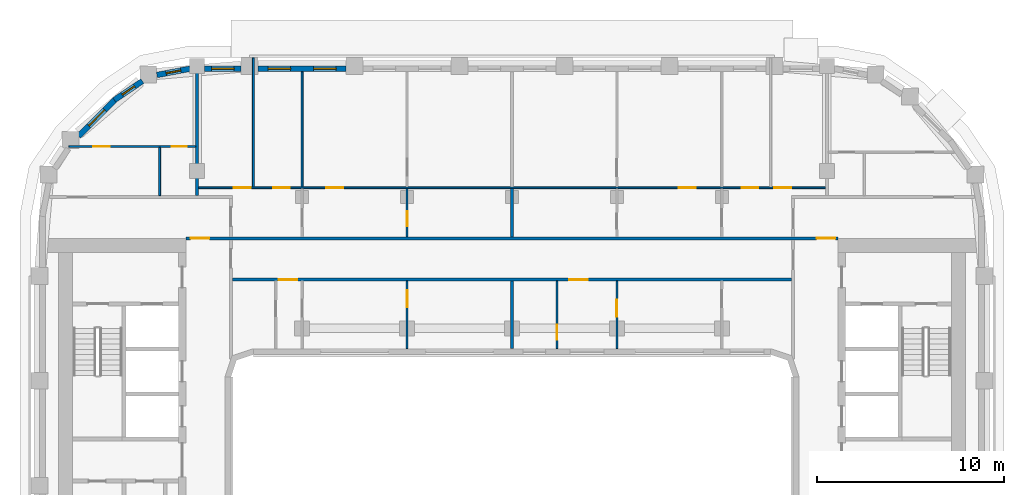
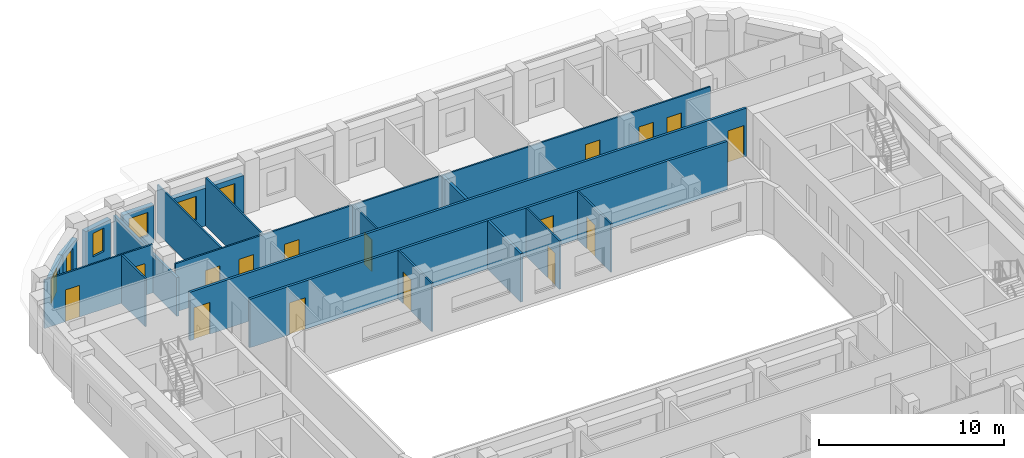
# One storey, part 7 of 21: 19 walls, 16 doors, 6 windows, 22 openings.
"""IFC4 building model written with IfcOpenShell, lengths in metres."""

from ifc_helpers import new_model, si_unit, direction, frame, frame_2d, origin, place, context, subcontext, project, spatial, rectangle, extrude, material, layer, layer_set, type_object, element, fill, save


model = new_model("IFC4")

# Units and contexts
model_context = context("Model", 3, precision=1e-05, world=origin(), true_north=direction((0.0, 1.0)))
body_context = subcontext(model_context, "Body", "Model", "MODEL_VIEW")
ifc_project = project(units=[si_unit("LENGTHUNIT", "METRE"), si_unit("AREAUNIT", "SQUARE_METRE"), si_unit("VOLUMEUNIT", "CUBIC_METRE"), si_unit("PLANEANGLEUNIT", "RADIAN"), si_unit("MASSUNIT", "GRAM", prefix="KILO")], contexts=[model_context])

# Site, building, storey
site_placement = place(None, origin())
site = spatial("IfcSite", under=ifc_project, at=site_placement, CompositionType="ELEMENT")
building_placement = place(site_placement, origin())
building = spatial("IfcBuilding", under=site, at=building_placement, Name="Kiln Ring Residences", CompositionType="ELEMENT")
storey_placement = place(building_placement, frame((0.0, 0.0, 202.89990234375)))
storey = spatial("IfcBuildingStorey", under=building, at=storey_placement, Name="L52", CompositionType="ELEMENT", Elevation=202.89990234375)

# Wall, openings, windows
ifc_material_1 = material(Name="Brick masonry, dark clay brick", Category="masonry")
ifc_layer_1 = layer(ifc_material_1, 0.300048828125)
ifc_layer_set_1 = layer_set([ifc_layer_1], Name="EW-300 BRICK WALL")
wall_type_1 = type_object("IfcWallType", Name="EW-300 BRICK WALL", PredefinedType="SOLIDWALL", material=ifc_layer_set_1)
wall_1_placement = place(storey_placement, frame((-8.85009765625, 22.25, 0.0), z_axis=(0.0, 0.0, 1.0), x_axis=(-1.0, 0.0, 0.0)))
wall_1 = element("IfcWall", 1, at=wall_1_placement, inside=storey, type_object=wall_type_1, Name="Facade wall L52 32", PredefinedType="SOLIDWALL", context=body_context, shape_type="SweptSolid", body=[
    extrude(rectangle(XDim=4.699951171875, YDim=0.300048828125, at=frame_2d((2.35009765625, 0.0))), origin(), (0.0, 0.0, 1.0), 2.5),
])
opening_1_placement = place(wall_1_placement, frame((0.53759765625, 0.0, 0.60009765625)))
opening_1 = element("IfcOpeningElement", 2, at=opening_1_placement, cuts=wall_1, Name="Opening W1", PredefinedType="OPENING", context=body_context, shape_type="SweptSolid", body=[
    extrude(rectangle(XDim=1.199951171875, YDim=1.550048828125, at=frame_2d((0.60009765625, 0.77490234375))), frame((0.0, 0.159912109375, 0.0), z_axis=(0.0, -1.0, 0.0), x_axis=(1.0, 0.0, 0.0)), (0.0, 0.0, 1.0), 0.320068359375),
])
opening_2_placement = place(wall_1_placement, frame((2.96240234375, 0.0, 0.60009765625)))
opening_2 = element("IfcOpeningElement", 3, at=opening_2_placement, cuts=wall_1, Name="Opening W1", PredefinedType="OPENING", context=body_context, shape_type="SweptSolid", body=[
    extrude(rectangle(XDim=1.199951171875, YDim=1.550048828125, at=frame_2d((0.60009765625, 0.77490234375))), frame((0.0, 0.159912109375, 0.0), z_axis=(0.0, -1.0, 0.0), x_axis=(1.0, 0.0, 0.0)), (0.0, 0.0, 1.0), 0.320068359375),
])
ifc_material_2 = material(Name="Aluminium frame with double glazing", Category="aluminium")
window_type_1 = type_object("IfcWindowType", Name="WINDOW 1200 x 1550", PartitioningType="SINGLE_PANEL", PredefinedType="WINDOW", material=ifc_material_2)
window_1_placement = place(opening_1_placement, origin())
window_1 = element("IfcWindow", 4, at=window_1_placement, inside=storey, type_object=window_type_1, Name="Window L52 28", OverallHeight=1.550048828125, OverallWidth=1.199951171875, PartitioningType="SINGLE_PANEL", PredefinedType="WINDOW", context=body_context, shape_type="SweptSolid", body=[
    extrude(rectangle(XDim=1.199951171875, YDim=1.550048828125, at=frame_2d((0.60009765625, 0.77490234375))), frame((0.0, 0.030029296875, 0.0), z_axis=(0.0, -1.0, 0.0), x_axis=(1.0, 0.0, 0.0)), (0.0, 0.0, 1.0), 0.06005859375),
])
fill(opening_1, window_1)
window_2_placement = place(opening_2_placement, origin())
window_2 = element("IfcWindow", 5, at=window_2_placement, inside=storey, type_object=window_type_1, Name="Window L52 29", OverallHeight=1.550048828125, OverallWidth=1.199951171875, PartitioningType="SINGLE_PANEL", PredefinedType="WINDOW", context=body_context, shape_type="SweptSolid", body=[
    extrude(rectangle(XDim=1.199951171875, YDim=1.550048828125, at=frame_2d((0.60009765625, 0.77490234375))), frame((0.0, 0.030029296875, 0.0), z_axis=(0.0, -1.0, 0.0), x_axis=(1.0, 0.0, 0.0)), (0.0, 0.0, 1.0), 0.06005859375),
])
fill(opening_2, window_2)

# Wall, opening, window
wall_2_placement = place(storey_placement, frame((-14.449951171875, 22.25, 0.0), z_axis=(0.0, 0.0, 1.0), x_axis=(-1.0, 0.0, 0.0)))
wall_2 = element("IfcWall", 6, at=wall_2_placement, inside=storey, type_object=wall_type_1, Name="Facade wall L52 33", PredefinedType="SOLIDWALL", context=body_context, shape_type="SweptSolid", body=[
    extrude(rectangle(XDim=1.949951171875, YDim=0.300048828125, at=frame_2d((0.97509765625, 0.0))), origin(), (0.0, 0.0, 1.0), 2.5),
])
opening_3_placement = place(wall_2_placement, frame((0.375, 0.0, 0.60009765625)))
opening_3 = element("IfcOpeningElement", 7, at=opening_3_placement, cuts=wall_2, Name="Opening W1", PredefinedType="OPENING", context=body_context, shape_type="SweptSolid", body=[
    extrude(rectangle(XDim=1.199951171875, YDim=1.550048828125, at=frame_2d((0.60009765625, 0.77490234375))), frame((0.0, 0.159912109375, 0.0), z_axis=(0.0, -1.0, 0.0), x_axis=(1.0, 0.0, 0.0)), (0.0, 0.0, 1.0), 0.320068359375),
])
window_3_placement = place(opening_3_placement, origin())
window_3 = element("IfcWindow", 8, at=window_3_placement, inside=storey, type_object=window_type_1, Name="Window L52 30", OverallHeight=1.550048828125, OverallWidth=1.199951171875, PartitioningType="SINGLE_PANEL", PredefinedType="WINDOW", context=body_context, shape_type="SweptSolid", body=[
    extrude(rectangle(XDim=1.199951171875, YDim=1.550048828125, at=frame_2d((0.60009765625, 0.77490234375))), frame((0.0, 0.030029296875, 0.0), z_axis=(0.0, -1.0, 0.0), x_axis=(1.0, 0.0, 0.0)), (0.0, 0.0, 1.0), 0.06005859375),
])
fill(opening_3, window_3)

wall_3_placement = place(storey_placement, frame((-17.178955078125, 22.251220703125, 0.0), z_axis=(0.0, 0.0, 1.0), x_axis=(-0.98230529033, -0.187286722942, 0.0)))
wall_3 = element("IfcWall", 9, at=wall_3_placement, inside=storey, type_object=wall_type_1, Name="Facade wall L52 34", PredefinedType="SOLIDWALL", context=body_context, shape_type="SweptSolid", body=[
    extrude(rectangle(XDim=1.798828125, YDim=0.300048828125, at=frame_2d((0.8994140625, 0.0))), origin(), (0.0, 0.0, 1.0), 2.5),
])
opening_4_placement = place(wall_3_placement, frame((0.49951171875, 0.0, 0.60009765625)))
opening_4 = element("IfcOpeningElement", 10, at=opening_4_placement, cuts=wall_3, Name="Opening W5", PredefinedType="OPENING", context=body_context, shape_type="SweptSolid", body=[
    extrude(rectangle(XDim=0.800048828125, YDim=1.550048828125, at=frame_2d((0.39990234375, 0.77490234375))), frame((0.0, 0.159912109375, 0.0), z_axis=(0.0, -1.0, 0.0), x_axis=(1.0, 0.0, 0.0)), (0.0, 0.0, 1.0), 0.320068359375),
])
ifc_material_3 = material(Name="Aluminium frame with double glazing", Category="aluminium")
window_type_2 = type_object("IfcWindowType", Name="WINDOW 800 x 1550", PartitioningType="SINGLE_PANEL", PredefinedType="WINDOW", material=ifc_material_3)
window_4_placement = place(opening_4_placement, origin())
window_4 = element("IfcWindow", 11, at=window_4_placement, inside=storey, type_object=window_type_2, Name="Window L52 31", OverallHeight=1.550048828125, OverallWidth=0.800048828125, PartitioningType="SINGLE_PANEL", PredefinedType="WINDOW", context=body_context, shape_type="SweptSolid", body=[
    extrude(rectangle(XDim=0.800048828125, YDim=1.550048828125, at=frame_2d((0.39990234375, 0.77490234375))), frame((0.0, 0.030029296875, 0.0), z_axis=(0.0, -1.0, 0.0), x_axis=(1.0, 0.0, 0.0)), (0.0, 0.0, 1.0), 0.06005859375),
])
fill(opening_4, window_4)

wall_4_placement = place(storey_placement, frame((-19.718994140625, 21.593994140625, 0.0), z_axis=(0.0, 0.0, 1.0), x_axis=(-0.827067282455, -0.562102935673, 0.0)))
wall_4 = element("IfcWall", 12, at=wall_4_placement, inside=storey, type_object=wall_type_1, Name="Facade wall L52 35", PredefinedType="SOLIDWALL", context=body_context, shape_type="SweptSolid", body=[
    extrude(rectangle(XDim=1.805908203125, YDim=0.300048828125, at=frame_2d((0.90283203125, 0.0))), origin(), (0.0, 0.0, 1.0), 2.5),
])
opening_5_placement = place(wall_4_placement, frame((0.5029296875, 0.0, 0.60009765625)))
opening_5 = element("IfcOpeningElement", 13, at=opening_5_placement, cuts=wall_4, Name="Opening W5", PredefinedType="OPENING", context=body_context, shape_type="SweptSolid", body=[
    extrude(rectangle(XDim=0.800048828125, YDim=1.550048828125, at=frame_2d((0.39990234375, 0.77490234375))), frame((0.0, 0.159912109375, 0.0), z_axis=(0.0, -1.0, 0.0), x_axis=(1.0, 0.0, 0.0)), (0.0, 0.0, 1.0), 0.320068359375),
])
window_5_placement = place(opening_5_placement, origin())
window_5 = element("IfcWindow", 14, at=window_5_placement, inside=storey, type_object=window_type_2, Name="Window L52 32", OverallHeight=1.550048828125, OverallWidth=0.800048828125, PartitioningType="SINGLE_PANEL", PredefinedType="WINDOW", context=body_context, shape_type="SweptSolid", body=[
    extrude(rectangle(XDim=0.800048828125, YDim=1.550048828125, at=frame_2d((0.39990234375, 0.77490234375))), frame((0.0, 0.030029296875, 0.0), z_axis=(0.0, -1.0, 0.0), x_axis=(1.0, 0.0, 0.0)), (0.0, 0.0, 1.0), 0.06005859375),
])
fill(opening_5, window_5)

wall_5_placement = place(storey_placement, frame((-21.19091796875, 20.596923828125, 0.0), z_axis=(0.0, 0.0, 1.0), x_axis=(-0.707106781187, -0.707106781187, 0.0)))
wall_5 = element("IfcWall", 15, at=wall_5_placement, inside=storey, type_object=wall_type_1, Name="Facade wall L52 36", PredefinedType="SOLIDWALL", context=body_context, shape_type="SweptSolid", body=[
    extrude(rectangle(XDim=2.75, YDim=0.300048828125, at=frame_2d((1.375, 0.0))), origin(), (0.0, 0.0, 1.0), 2.5),
])
opening_6_placement = place(wall_5_placement, frame((0.77490234375, 0.0, 0.60009765625)))
opening_6 = element("IfcOpeningElement", 16, at=opening_6_placement, cuts=wall_5, Name="Opening W1", PredefinedType="OPENING", context=body_context, shape_type="SweptSolid", body=[
    extrude(rectangle(XDim=1.199951171875, YDim=1.550048828125, at=frame_2d((0.60009765625, 0.77490234375))), frame((0.0, 0.159912109375, 0.0), z_axis=(0.0, -1.0, 0.0), x_axis=(1.0, 0.0, 0.0)), (0.0, 0.0, 1.0), 0.320068359375),
])
window_6_placement = place(opening_6_placement, origin())
window_6 = element("IfcWindow", 17, at=window_6_placement, inside=storey, type_object=window_type_1, Name="Window L52 33", OverallHeight=1.550048828125, OverallWidth=1.199951171875, PartitioningType="SINGLE_PANEL", PredefinedType="WINDOW", context=body_context, shape_type="SweptSolid", body=[
    extrude(rectangle(XDim=1.199951171875, YDim=1.550048828125, at=frame_2d((0.60009765625, 0.77490234375))), frame((0.0, 0.030029296875, 0.0), z_axis=(0.0, -1.0, 0.0), x_axis=(1.0, 0.0, 0.0)), (0.0, 0.0, 1.0), 0.06005859375),
])
fill(opening_6, window_6)

# Wall, openings, doors
ifc_material_4 = material(Name="Gypsum board on steel studs", Category="steel")
ifc_layer_2 = layer(ifc_material_4, 0.10009765625)
ifc_layer_set_2 = layer_set([ifc_layer_2], Name="PARTITION-100")
wall_type_2 = type_object("IfcWallType", Name="PARTITION-100", PredefinedType="PARTITIONING", material=ifc_layer_set_2)
wall_6_placement = place(storey_placement, frame((-16.72509765625, 15.89990234375, 0.0), z_axis=(0.0, 0.0, 1.0), x_axis=(1.0, 0.0, 0.0)))
wall_6 = element("IfcWall", 18, at=wall_6_placement, inside=storey, type_object=wall_type_2, Name="Partition 011", PredefinedType="PARTITIONING", context=body_context, shape_type="SweptSolid", body=[
    extrude(rectangle(XDim=33.4501953125, YDim=0.10009765625, at=frame_2d((16.72509765625, 0.0))), origin(), (0.0, 0.0, 1.0), 3.2001953125),
])
opening_7_placement = place(wall_6_placement, frame((1.875, 0.0, 0.0)))
opening_7 = element("IfcOpeningElement", 19, at=opening_7_placement, cuts=wall_6, Name="Opening L52-D020", PredefinedType="OPENING", context=body_context, shape_type="SweptSolid", body=[
    extrude(rectangle(XDim=0.89990234375, YDim=2.10009765625, at=frame_2d((0.449951171875, 1.050048828125))), frame((0.0, 0.06005859375, 0.0), z_axis=(0.0, -1.0, 0.0), x_axis=(1.0, 0.0, 0.0)), (0.0, 0.0, 1.0), 0.1201171875),
])
opening_8_placement = place(wall_6_placement, frame((3.97509765625, 0.0, 0.0)))
opening_8 = element("IfcOpeningElement", 20, at=opening_8_placement, cuts=wall_6, Name="Opening L52-D021", PredefinedType="OPENING", context=body_context, shape_type="SweptSolid", body=[
    extrude(rectangle(XDim=0.89990234375, YDim=2.10009765625, at=frame_2d((0.449951171875, 1.050048828125))), frame((0.0, 0.06005859375, 0.0), z_axis=(0.0, -1.0, 0.0), x_axis=(1.0, 0.0, 0.0)), (0.0, 0.0, 1.0), 0.1201171875),
])
opening_9_placement = place(wall_6_placement, frame((6.824951171875, 0.0, 0.0)))
opening_9 = element("IfcOpeningElement", 21, at=opening_9_placement, cuts=wall_6, Name="Opening L52-D022", PredefinedType="OPENING", context=body_context, shape_type="SweptSolid", body=[
    extrude(rectangle(XDim=0.89990234375, YDim=2.10009765625, at=frame_2d((0.449951171875, 1.050048828125))), frame((0.0, 0.06005859375, 0.0), z_axis=(0.0, -1.0, 0.0), x_axis=(1.0, 0.0, 0.0)), (0.0, 0.0, 1.0), 0.1201171875),
])
opening_10_placement = place(wall_6_placement, frame((28.97509765625, 0.0, 0.0)))
opening_10 = element("IfcOpeningElement", 22, at=opening_10_placement, cuts=wall_6, Name="Opening L52-D027", PredefinedType="OPENING", context=body_context, shape_type="SweptSolid", body=[
    extrude(rectangle(XDim=0.89990234375, YDim=2.10009765625, at=frame_2d((0.449951171875, 1.050048828125))), frame((0.0, 0.06005859375, 0.0), z_axis=(0.0, -1.0, 0.0), x_axis=(1.0, 0.0, 0.0)), (0.0, 0.0, 1.0), 0.1201171875),
])
opening_11_placement = place(wall_6_placement, frame((30.72509765625, 0.0, 0.0)))
opening_11 = element("IfcOpeningElement", 23, at=opening_11_placement, cuts=wall_6, Name="Opening L52-D028", PredefinedType="OPENING", context=body_context, shape_type="SweptSolid", body=[
    extrude(rectangle(XDim=0.89990234375, YDim=2.10009765625, at=frame_2d((0.449951171875, 1.050048828125))), frame((0.0, 0.06005859375, 0.0), z_axis=(0.0, -1.0, 0.0), x_axis=(1.0, 0.0, 0.0)), (0.0, 0.0, 1.0), 0.1201171875),
])
opening_12_placement = place(wall_6_placement, frame((25.625, 0.0, 0.0)))
opening_12 = element("IfcOpeningElement", 24, at=opening_12_placement, cuts=wall_6, Name="Opening L52-D029", PredefinedType="OPENING", context=body_context, shape_type="SweptSolid", body=[
    extrude(rectangle(XDim=0.89990234375, YDim=2.10009765625, at=frame_2d((0.449951171875, 1.050048828125))), frame((0.0, 0.06005859375, 0.0), z_axis=(0.0, -1.0, 0.0), x_axis=(1.0, 0.0, 0.0)), (0.0, 0.0, 1.0), 0.1201171875),
])
ifc_material_5 = material(Name="Timber door leaf", Category="wood")
door_type_1 = type_object("IfcDoorType", Name="FLAT-DOOR-900-PL", OperationType="SINGLE_SWING_LEFT", PredefinedType="DOOR", material=ifc_material_5)
door_1_placement = place(opening_7_placement, origin())
door_1 = element("IfcDoor", 25, at=door_1_placement, inside=storey, type_object=door_type_1, Name="Door L52-D020", OperationType="SINGLE_SWING_LEFT", OverallHeight=2.10009765625, OverallWidth=0.89990234375, PredefinedType="DOOR", context=body_context, shape_type="SweptSolid", body=[
    extrude(rectangle(XDim=0.89990234375, YDim=2.10009765625, at=frame_2d((0.449951171875, 1.050048828125))), frame((0.0, 0.02490234375, 0.0), z_axis=(0.0, -1.0, 0.0), x_axis=(1.0, 0.0, 0.0)), (0.0, 0.0, 1.0), 0.050048828125),
])
fill(opening_7, door_1)
door_2_placement = place(opening_8_placement, origin())
door_2 = element("IfcDoor", 26, at=door_2_placement, inside=storey, type_object=door_type_1, Name="Door L52-D021", OperationType="SINGLE_SWING_LEFT", OverallHeight=2.10009765625, OverallWidth=0.89990234375, PredefinedType="DOOR", context=body_context, shape_type="SweptSolid", body=[
    extrude(rectangle(XDim=0.89990234375, YDim=2.10009765625, at=frame_2d((0.449951171875, 1.050048828125))), frame((0.0, 0.02490234375, 0.0), z_axis=(0.0, -1.0, 0.0), x_axis=(1.0, 0.0, 0.0)), (0.0, 0.0, 1.0), 0.050048828125),
])
fill(opening_8, door_2)
door_3_placement = place(opening_9_placement, origin())
door_3 = element("IfcDoor", 27, at=door_3_placement, inside=storey, type_object=door_type_1, Name="Door L52-D022", OperationType="SINGLE_SWING_RIGHT", OverallHeight=2.10009765625, OverallWidth=0.89990234375, PredefinedType="DOOR", context=body_context, shape_type="SweptSolid", body=[
    extrude(rectangle(XDim=0.89990234375, YDim=2.10009765625, at=frame_2d((0.449951171875, 1.050048828125))), frame((0.0, 0.02490234375, 0.0), z_axis=(0.0, -1.0, 0.0), x_axis=(1.0, 0.0, 0.0)), (0.0, 0.0, 1.0), 0.050048828125),
])
fill(opening_9, door_3)
door_4_placement = place(opening_10_placement, origin())
door_4 = element("IfcDoor", 28, at=door_4_placement, inside=storey, type_object=door_type_1, Name="Door L52-D027", OperationType="SINGLE_SWING_LEFT", OverallHeight=2.10009765625, OverallWidth=0.89990234375, PredefinedType="DOOR", context=body_context, shape_type="SweptSolid", body=[
    extrude(rectangle(XDim=0.89990234375, YDim=2.10009765625, at=frame_2d((0.449951171875, 1.050048828125))), frame((0.0, 0.02490234375, 0.0), z_axis=(0.0, -1.0, 0.0), x_axis=(1.0, 0.0, 0.0)), (0.0, 0.0, 1.0), 0.050048828125),
])
fill(opening_10, door_4)
door_5_placement = place(opening_11_placement, origin())
door_5 = element("IfcDoor", 29, at=door_5_placement, inside=storey, type_object=door_type_1, Name="Door L52-D028", OperationType="SINGLE_SWING_RIGHT", OverallHeight=2.10009765625, OverallWidth=0.89990234375, PredefinedType="DOOR", context=body_context, shape_type="SweptSolid", body=[
    extrude(rectangle(XDim=0.89990234375, YDim=2.10009765625, at=frame_2d((0.449951171875, 1.050048828125))), frame((0.0, 0.02490234375, 0.0), z_axis=(0.0, -1.0, 0.0), x_axis=(1.0, 0.0, 0.0)), (0.0, 0.0, 1.0), 0.050048828125),
])
fill(opening_11, door_5)
door_6_placement = place(opening_12_placement, origin())
door_6 = element("IfcDoor", 30, at=door_6_placement, inside=storey, type_object=door_type_1, Name="Door L52-D029", OperationType="SINGLE_SWING_LEFT", OverallHeight=2.10009765625, OverallWidth=0.89990234375, PredefinedType="DOOR", context=body_context, shape_type="SweptSolid", body=[
    extrude(rectangle(XDim=0.89990234375, YDim=2.10009765625, at=frame_2d((0.449951171875, 1.050048828125))), frame((0.0, 0.02490234375, 0.0), z_axis=(0.0, -1.0, 0.0), x_axis=(1.0, 0.0, 0.0)), (0.0, 0.0, 1.0), 0.050048828125),
])
fill(opening_12, door_6)

wall_7_placement = place(storey_placement, frame((-23.639892578125, 18.10009765625, 0.0), z_axis=(0.0, 0.0, 1.0), x_axis=(1.0, 0.0, 0.0)))
wall_7 = element("IfcWall", 31, at=wall_7_placement, inside=storey, type_object=wall_type_2, Name="Partition 013", PredefinedType="PARTITIONING", context=body_context, shape_type="SweptSolid", body=[
    extrude(rectangle(XDim=6.764892578125, YDim=0.10009765625, at=frame_2d((3.38232421875, 0.0))), origin(), (0.0, 0.0, 1.0), 3.2001953125),
])
opening_13_placement = place(wall_7_placement, frame((5.489990234375, 0.0, 0.0)))
opening_13 = element("IfcOpeningElement", 32, at=opening_13_placement, cuts=wall_7, Name="Opening L52-D035", PredefinedType="OPENING", context=body_context, shape_type="SweptSolid", body=[
    extrude(rectangle(XDim=0.800048828125, YDim=2.10009765625, at=frame_2d((0.39990234375, 1.050048828125))), frame((0.0, 0.06005859375, 0.0), z_axis=(0.0, -1.0, 0.0), x_axis=(1.0, 0.0, 0.0)), (0.0, 0.0, 1.0), 0.1201171875),
])
opening_14_placement = place(wall_7_placement, frame((1.2900390625, 0.0, 0.0)))
opening_14 = element("IfcOpeningElement", 33, at=opening_14_placement, cuts=wall_7, Name="Opening L52-D036", PredefinedType="OPENING", context=body_context, shape_type="SweptSolid", body=[
    extrude(rectangle(XDim=0.89990234375, YDim=2.10009765625, at=frame_2d((0.449951171875, 1.050048828125))), frame((0.0, 0.06005859375, 0.0), z_axis=(0.0, -1.0, 0.0), x_axis=(1.0, 0.0, 0.0)), (0.0, 0.0, 1.0), 0.1201171875),
])
ifc_material_6 = material(Name="Timber door leaf", Category="wood")
door_type_2 = type_object("IfcDoorType", Name="FLAT-DOOR-800-PL", OperationType="SINGLE_SWING_LEFT", PredefinedType="DOOR", material=ifc_material_6)
door_7_placement = place(opening_13_placement, origin())
door_7 = element("IfcDoor", 34, at=door_7_placement, inside=storey, type_object=door_type_2, Name="Door L52-D035", OperationType="SINGLE_SWING_LEFT", OverallHeight=2.10009765625, OverallWidth=0.800048828125, PredefinedType="DOOR", context=body_context, shape_type="SweptSolid", body=[
    extrude(rectangle(XDim=0.800048828125, YDim=2.10009765625, at=frame_2d((0.39990234375, 1.050048828125))), frame((0.0, 0.02490234375, 0.0), z_axis=(0.0, -1.0, 0.0), x_axis=(1.0, 0.0, 0.0)), (0.0, 0.0, 1.0), 0.050048828125),
])
fill(opening_13, door_7)
door_8_placement = place(opening_14_placement, origin())
door_8 = element("IfcDoor", 35, at=door_8_placement, inside=storey, type_object=door_type_1, Name="Door L52-D036", OperationType="SINGLE_SWING_RIGHT", OverallHeight=2.10009765625, OverallWidth=0.89990234375, PredefinedType="DOOR", context=body_context, shape_type="SweptSolid", body=[
    extrude(rectangle(XDim=0.89990234375, YDim=2.10009765625, at=frame_2d((0.449951171875, 1.050048828125))), frame((0.0, 0.02490234375, 0.0), z_axis=(0.0, -1.0, 0.0), x_axis=(1.0, 0.0, 0.0)), (0.0, 0.0, 1.0), 0.050048828125),
])
fill(opening_14, door_8)

# Walls
wall_8_placement = place(storey_placement, frame((-18.800048828125, 15.47509765625, 0.0), z_axis=(0.0, 0.0, 1.0), x_axis=(0.0, 1.0, 0.0)))
element("IfcWall", 36, at=wall_8_placement, inside=storey, type_object=wall_type_2, Name="Partition 015", PredefinedType="PARTITIONING", context=body_context, shape_type="SweptSolid", body=[
    extrude(rectangle(XDim=2.574951171875, YDim=0.10009765625, at=frame_2d((1.28759765625, 0.0))), origin(), (0.0, 0.0, 1.0), 3.2001953125),
])
wall_9_placement = place(storey_placement, frame((-13.800048828125, 15.949951171875, 0.0), z_axis=(0.0, 0.0, 1.0), x_axis=(0.0, 1.0, 0.0)))
element("IfcWall", 37, at=wall_9_placement, inside=storey, type_object=wall_type_2, Name="Partition 022", PredefinedType="PARTITIONING", context=body_context, shape_type="SweptSolid", body=[
    extrude(rectangle(XDim=6.880126953125, YDim=0.10009765625, at=frame_2d((3.43994140625, 0.0))), origin(), (0.0, 0.0, 1.0), 3.2001953125),
])
wall_10_placement = place(storey_placement, frame((-11.199951171875, 15.949951171875, 0.0), z_axis=(0.0, 0.0, 1.0), x_axis=(0.0, 1.0, 0.0)))
element("IfcWall", 38, at=wall_10_placement, inside=storey, type_object=wall_type_2, Name="Partition 030", PredefinedType="PARTITIONING", context=body_context, shape_type="SweptSolid", body=[
    extrude(rectangle(XDim=6.130126953125, YDim=0.10009765625, at=frame_2d((3.06494140625, 0.0))), origin(), (0.0, 0.0, 1.0), 3.2001953125),
])

# Wall, opening, door
wall_11_placement = place(storey_placement, frame((-5.60009765625, 7.320068359375, 0.0), z_axis=(0.0, 0.0, 1.0), x_axis=(0.0, 1.0, 0.0)))
wall_11 = element("IfcWall", 39, at=wall_11_placement, inside=storey, type_object=wall_type_2, Name="Partition 034", PredefinedType="PARTITIONING", context=body_context, shape_type="SweptSolid", body=[
    extrude(rectangle(XDim=3.60498046875, YDim=0.10009765625, at=frame_2d((1.802490234375, 0.0))), origin(), (0.0, 0.0, 1.0), 3.2001953125),
])
opening_15_placement = place(wall_11_placement, frame((2.199951171875, 0.0, 0.0)))
opening_15 = element("IfcOpeningElement", 40, at=opening_15_placement, cuts=wall_11, Name="Opening L52-D012", PredefinedType="OPENING", context=body_context, shape_type="SweptSolid", body=[
    extrude(rectangle(XDim=0.89990234375, YDim=2.10009765625, at=frame_2d((0.449951171875, 1.050048828125))), frame((0.0, 0.06005859375, 0.0), z_axis=(0.0, -1.0, 0.0), x_axis=(1.0, 0.0, 0.0)), (0.0, 0.0, 1.0), 0.1201171875),
])
door_9_placement = place(opening_15_placement, origin())
door_9 = element("IfcDoor", 41, at=door_9_placement, inside=storey, type_object=door_type_1, Name="Door L52-D012", OperationType="SINGLE_SWING_RIGHT", OverallHeight=2.10009765625, OverallWidth=0.89990234375, PredefinedType="DOOR", context=body_context, shape_type="SweptSolid", body=[
    extrude(rectangle(XDim=0.89990234375, YDim=2.10009765625, at=frame_2d((0.449951171875, 1.050048828125))), frame((0.0, 0.02490234375, 0.0), z_axis=(0.0, -1.0, 0.0), x_axis=(1.0, 0.0, 0.0)), (0.0, 0.0, 1.0), 0.050048828125),
])
fill(opening_15, door_9)

wall_12_placement = place(storey_placement, frame((-5.60009765625, 13.27490234375, 0.0), z_axis=(0.0, 0.0, 1.0), x_axis=(0.0, 1.0, 0.0)))
wall_12 = element("IfcWall", 42, at=wall_12_placement, inside=storey, type_object=wall_type_2, Name="Partition 035", PredefinedType="PARTITIONING", context=body_context, shape_type="SweptSolid", body=[
    extrude(rectangle(XDim=2.5751953125, YDim=0.10009765625, at=frame_2d((1.28759765625, 0.0))), origin(), (0.0, 0.0, 1.0), 3.2001953125),
])
opening_16_placement = place(wall_12_placement, frame((0.575927734375, 0.0, 0.0)))
opening_16 = element("IfcOpeningElement", 43, at=opening_16_placement, cuts=wall_12, Name="Opening L52-D019", PredefinedType="OPENING", context=body_context, shape_type="SweptSolid", body=[
    extrude(rectangle(XDim=0.800048828125, YDim=2.10009765625, at=frame_2d((0.39990234375, 1.050048828125))), frame((0.0, 0.06005859375, 0.0), z_axis=(0.0, -1.0, 0.0), x_axis=(1.0, 0.0, 0.0)), (0.0, 0.0, 1.0), 0.1201171875),
])
door_10_placement = place(opening_16_placement, origin())
door_10 = element("IfcDoor", 44, at=door_10_placement, inside=storey, type_object=door_type_2, Name="Door L52-D019", OperationType="SINGLE_SWING_LEFT", OverallHeight=2.10009765625, OverallWidth=0.800048828125, PredefinedType="DOOR", context=body_context, shape_type="SweptSolid", body=[
    extrude(rectangle(XDim=0.800048828125, YDim=2.10009765625, at=frame_2d((0.39990234375, 1.050048828125))), frame((0.0, 0.02490234375, 0.0), z_axis=(0.0, -1.0, 0.0), x_axis=(1.0, 0.0, 0.0)), (0.0, 0.0, 1.0), 0.050048828125),
])
fill(opening_16, door_10)

wall_13_placement = place(storey_placement, frame((2.39990234375, 7.320068359375, 0.0), z_axis=(0.0, 0.0, 1.0), x_axis=(0.0, 1.0, 0.0)))
wall_13 = element("IfcWall", 45, at=wall_13_placement, inside=storey, type_object=wall_type_2, Name="Partition 043", PredefinedType="PARTITIONING", context=body_context, shape_type="SweptSolid", body=[
    extrude(rectangle(XDim=3.60498046875, YDim=0.10009765625, at=frame_2d((1.802490234375, 0.0))), origin(), (0.0, 0.0, 1.0), 3.2001953125),
])
opening_17_placement = place(wall_13_placement, frame((0.47900390625, 0.0, 0.0)))
opening_17 = element("IfcOpeningElement", 46, at=opening_17_placement, cuts=wall_13, Name="Opening L52-D014", PredefinedType="OPENING", context=body_context, shape_type="SweptSolid", body=[
    extrude(rectangle(XDim=0.800048828125, YDim=2.10009765625, at=frame_2d((0.39990234375, 1.050048828125))), frame((0.0, 0.06005859375, 0.0), z_axis=(0.0, -1.0, 0.0), x_axis=(1.0, 0.0, 0.0)), (0.0, 0.0, 1.0), 0.1201171875),
])
door_11_placement = place(opening_17_placement, origin())
door_11 = element("IfcDoor", 47, at=door_11_placement, inside=storey, type_object=door_type_2, Name="Door L52-D014", OperationType="SINGLE_SWING_RIGHT", OverallHeight=2.10009765625, OverallWidth=0.800048828125, PredefinedType="DOOR", context=body_context, shape_type="SweptSolid", body=[
    extrude(rectangle(XDim=0.800048828125, YDim=2.10009765625, at=frame_2d((0.39990234375, 1.050048828125))), frame((0.0, 0.02490234375, 0.0), z_axis=(0.0, -1.0, 0.0), x_axis=(1.0, 0.0, 0.0)), (0.0, 0.0, 1.0), 0.050048828125),
])
fill(opening_17, door_11)

wall_14_placement = place(storey_placement, frame((5.60009765625, 7.320068359375, 0.0), z_axis=(0.0, 0.0, 1.0), x_axis=(0.0, 1.0, 0.0)))
wall_14 = element("IfcWall", 48, at=wall_14_placement, inside=storey, type_object=wall_type_2, Name="Partition 047", PredefinedType="PARTITIONING", context=body_context, shape_type="SweptSolid", body=[
    extrude(rectangle(XDim=3.60498046875, YDim=0.10009765625, at=frame_2d((1.802490234375, 0.0))), origin(), (0.0, 0.0, 1.0), 3.2001953125),
])
opening_18_placement = place(wall_14_placement, frame((1.699951171875, 0.0, 0.0)))
opening_18 = element("IfcOpeningElement", 49, at=opening_18_placement, cuts=wall_14, Name="Opening L52-D015", PredefinedType="OPENING", context=body_context, shape_type="SweptSolid", body=[
    extrude(rectangle(XDim=0.89990234375, YDim=2.10009765625, at=frame_2d((0.449951171875, 1.050048828125))), frame((0.0, 0.06005859375, 0.0), z_axis=(0.0, -1.0, 0.0), x_axis=(1.0, 0.0, 0.0)), (0.0, 0.0, 1.0), 0.1201171875),
])
door_12_placement = place(opening_18_placement, origin())
door_12 = element("IfcDoor", 50, at=door_12_placement, inside=storey, type_object=door_type_1, Name="Door L52-D015", OperationType="SINGLE_SWING_RIGHT", OverallHeight=2.10009765625, OverallWidth=0.89990234375, PredefinedType="DOOR", context=body_context, shape_type="SweptSolid", body=[
    extrude(rectangle(XDim=0.89990234375, YDim=2.10009765625, at=frame_2d((0.449951171875, 1.050048828125))), frame((0.0, 0.02490234375, 0.0), z_axis=(0.0, -1.0, 0.0), x_axis=(1.0, 0.0, 0.0)), (0.0, 0.0, 1.0), 0.050048828125),
])
fill(opening_18, door_12)

# Wall, openings, doors
ifc_material_7 = material(Name="Brick masonry partition", Category="masonry")
ifc_layer_3 = layer(ifc_material_7, 0.14990234375)
ifc_layer_set_3 = layer_set([ifc_layer_3], Name="PARTITION-150-ei60")
wall_type_3 = type_object("IfcWallType", Name="PARTITION-150-ei60", PredefinedType="PARTITIONING", material=ifc_layer_set_3)
wall_15_placement = place(storey_placement, frame((-14.925048828125, 11.0, 0.0), z_axis=(0.0, 0.0, 1.0), x_axis=(1.0, 0.0, 0.0)))
wall_15 = element("IfcWall", 51, at=wall_15_placement, inside=storey, type_object=wall_type_3, Name="Partition 007", PredefinedType="PARTITIONING", context=body_context, shape_type="SweptSolid", body=[
    extrude(rectangle(XDim=29.85009765625, YDim=0.14990234375, at=frame_2d((14.925048828125, 0.0))), origin(), (0.0, 0.0, 1.0), 3.2001953125),
])
opening_19_placement = place(wall_15_placement, frame((2.47509765625, 0.0, 0.0)))
opening_19 = element("IfcOpeningElement", 52, at=opening_19_placement, cuts=wall_15, Name="Opening L52-D009", PredefinedType="OPENING", context=body_context, shape_type="SweptSolid", body=[
    extrude(rectangle(XDim=1.0, YDim=2.10009765625, at=frame_2d((0.5, 1.050048828125))), frame((0.0, 0.0849609375, 0.0), z_axis=(0.0, -1.0, 0.0), x_axis=(1.0, 0.0, 0.0)), (0.0, 0.0, 1.0), 0.169921875),
])
opening_20_placement = place(wall_15_placement, frame((17.97509765625, 0.0, 0.0)))
opening_20 = element("IfcOpeningElement", 53, at=opening_20_placement, cuts=wall_15, Name="Opening L52-D013", PredefinedType="OPENING", context=body_context, shape_type="SweptSolid", body=[
    extrude(rectangle(XDim=1.0, YDim=2.10009765625, at=frame_2d((0.5, 1.050048828125))), frame((0.0, 0.0849609375, 0.0), z_axis=(0.0, -1.0, 0.0), x_axis=(1.0, 0.0, 0.0)), (0.0, 0.0, 1.0), 0.169921875),
])
ifc_material_8 = material(Name="Steel faced fire door leaf", Category="steel")
door_type_3 = type_object("IfcDoorType", Name="FLAT-DOOR-1000-FR", OperationType="SINGLE_SWING_LEFT", PredefinedType="DOOR", material=ifc_material_8)
door_13_placement = place(opening_19_placement, origin())
door_13 = element("IfcDoor", 54, at=door_13_placement, inside=storey, type_object=door_type_3, Name="Door L52-D009", OperationType="SINGLE_SWING_LEFT", OverallHeight=2.10009765625, OverallWidth=1.0, PredefinedType="DOOR", context=body_context, shape_type="SweptSolid", body=[
    extrude(rectangle(XDim=1.0, YDim=2.10009765625, at=frame_2d((0.5, 1.050048828125))), frame((0.0, 0.02490234375, 0.0), z_axis=(0.0, -1.0, 0.0), x_axis=(1.0, 0.0, 0.0)), (0.0, 0.0, 1.0), 0.050048828125),
])
fill(opening_19, door_13)
door_14_placement = place(opening_20_placement, origin())
door_14 = element("IfcDoor", 55, at=door_14_placement, inside=storey, type_object=door_type_3, Name="Door L52-D013", OperationType="SINGLE_SWING_LEFT", OverallHeight=2.10009765625, OverallWidth=1.0, PredefinedType="DOOR", context=body_context, shape_type="SweptSolid", body=[
    extrude(rectangle(XDim=1.0, YDim=2.10009765625, at=frame_2d((0.5, 1.050048828125))), frame((0.0, 0.02490234375, 0.0), z_axis=(0.0, -1.0, 0.0), x_axis=(1.0, 0.0, 0.0)), (0.0, 0.0, 1.0), 0.050048828125),
])
fill(opening_20, door_14)

wall_16_placement = place(storey_placement, frame((-17.39990234375, 13.199951171875, 0.0), z_axis=(0.0, 0.0, 1.0), x_axis=(1.0, 0.0, 0.0)))
wall_16 = element("IfcWall", 56, at=wall_16_placement, inside=storey, type_object=wall_type_3, Name="Partition 008", PredefinedType="PARTITIONING", context=body_context, shape_type="SweptSolid", body=[
    extrude(rectangle(XDim=34.7998046875, YDim=0.14990234375, at=frame_2d((17.39990234375, 0.0))), origin(), (0.0, 0.0, 1.0), 3.2001953125),
])
opening_21_placement = place(wall_16_placement, frame((0.25, 0.0, 0.0)))
opening_21 = element("IfcOpeningElement", 57, at=opening_21_placement, cuts=wall_16, Name="Opening L52-D003", PredefinedType="OPENING", context=body_context, shape_type="SweptSolid", body=[
    extrude(rectangle(XDim=1.0, YDim=2.10009765625, at=frame_2d((0.5, 1.050048828125))), frame((0.0, 0.0849609375, 0.0), z_axis=(0.0, -1.0, 0.0), x_axis=(1.0, 0.0, 0.0)), (0.0, 0.0, 1.0), 0.169921875),
])
opening_22_placement = place(wall_16_placement, frame((33.64990234375, 0.0, 0.0)))
opening_22 = element("IfcOpeningElement", 58, at=opening_22_placement, cuts=wall_16, Name="Opening L52-D004", PredefinedType="OPENING", context=body_context, shape_type="SweptSolid", body=[
    extrude(rectangle(XDim=1.0, YDim=2.10009765625, at=frame_2d((0.5, 1.050048828125))), frame((0.0, 0.0849609375, 0.0), z_axis=(0.0, -1.0, 0.0), x_axis=(1.0, 0.0, 0.0)), (0.0, 0.0, 1.0), 0.169921875),
])
door_15_placement = place(opening_21_placement, origin())
door_15 = element("IfcDoor", 59, at=door_15_placement, inside=storey, type_object=door_type_3, Name="Door L52-D003", OperationType="SINGLE_SWING_LEFT", OverallHeight=2.10009765625, OverallWidth=1.0, PredefinedType="DOOR", context=body_context, shape_type="SweptSolid", body=[
    extrude(rectangle(XDim=1.0, YDim=2.10009765625, at=frame_2d((0.5, 1.050048828125))), frame((0.0, 0.02490234375, 0.0), z_axis=(0.0, -1.0, 0.0), x_axis=(1.0, 0.0, 0.0)), (0.0, 0.0, 1.0), 0.050048828125),
])
fill(opening_21, door_15)
door_16_placement = place(opening_22_placement, origin())
door_16 = element("IfcDoor", 60, at=door_16_placement, inside=storey, type_object=door_type_3, Name="Door L52-D004", OperationType="SINGLE_SWING_RIGHT", OverallHeight=2.10009765625, OverallWidth=1.0, PredefinedType="DOOR", context=body_context, shape_type="SweptSolid", body=[
    extrude(rectangle(XDim=1.0, YDim=2.10009765625, at=frame_2d((0.5, 1.050048828125))), frame((0.0, 0.02490234375, 0.0), z_axis=(0.0, -1.0, 0.0), x_axis=(1.0, 0.0, 0.0)), (0.0, 0.0, 1.0), 0.050048828125),
])
fill(opening_22, door_16)

# Walls
wall_17_placement = place(storey_placement, frame((-16.800048828125, 15.47509765625, 0.0), z_axis=(0.0, 0.0, 1.0), x_axis=(0.0, 1.0, 0.0)))
element("IfcWall", 61, at=wall_17_placement, inside=storey, type_object=wall_type_3, Name="Partition 017", PredefinedType="PARTITIONING", context=body_context, shape_type="SweptSolid", body=[
    extrude(rectangle(XDim=6.8349609375, YDim=0.14990234375, at=frame_2d((3.41748046875, 0.0))), origin(), (0.0, 0.0, 1.0), 2.550048828125),
])
wall_18_placement = place(storey_placement, frame((0.0, 7.320068359375, 0.0), z_axis=(0.0, 0.0, 1.0), x_axis=(0.0, 1.0, 0.0)))
element("IfcWall", 62, at=wall_18_placement, inside=storey, type_object=wall_type_3, Name="Partition 040", PredefinedType="PARTITIONING", context=body_context, shape_type="SweptSolid", body=[
    extrude(rectangle(XDim=3.60498046875, YDim=0.14990234375, at=frame_2d((1.802490234375, 0.0))), origin(), (0.0, 0.0, 1.0), 3.2001953125),
])
wall_19_placement = place(storey_placement, frame((0.0, 13.27490234375, 0.0), z_axis=(0.0, 0.0, 1.0), x_axis=(0.0, 1.0, 0.0)))
element("IfcWall", 63, at=wall_19_placement, inside=storey, type_object=wall_type_3, Name="Partition 041", PredefinedType="PARTITIONING", context=body_context, shape_type="SweptSolid", body=[
    extrude(rectangle(XDim=2.5751953125, YDim=0.14990234375, at=frame_2d((1.28759765625, 0.0))), origin(), (0.0, 0.0, 1.0), 3.2001953125),
])

save(model, "model.ifc")
